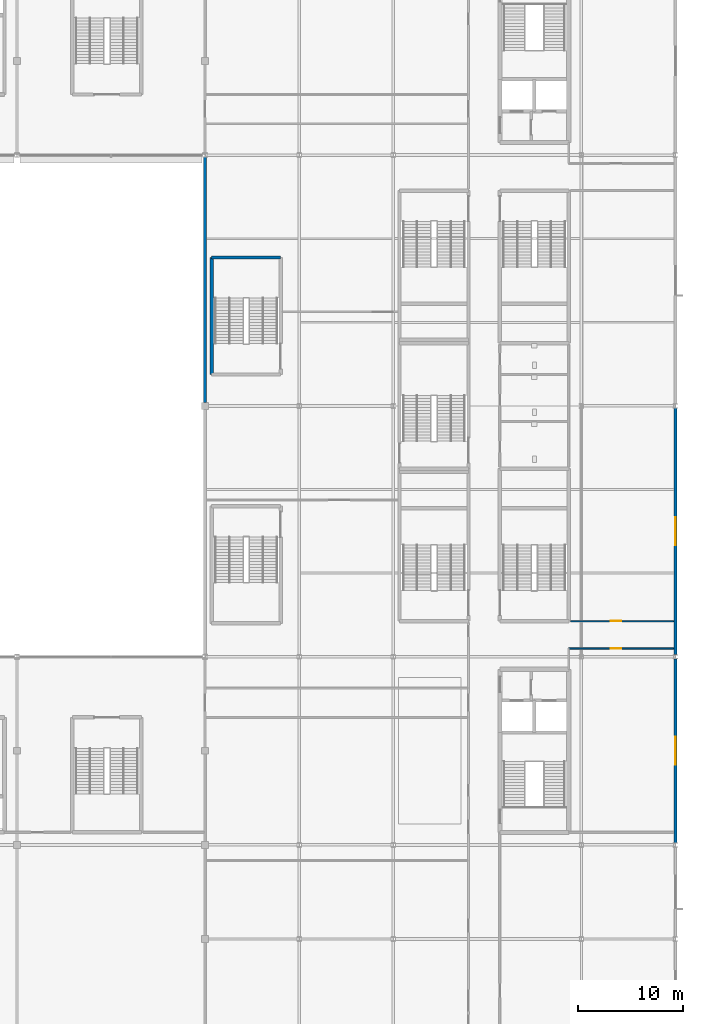
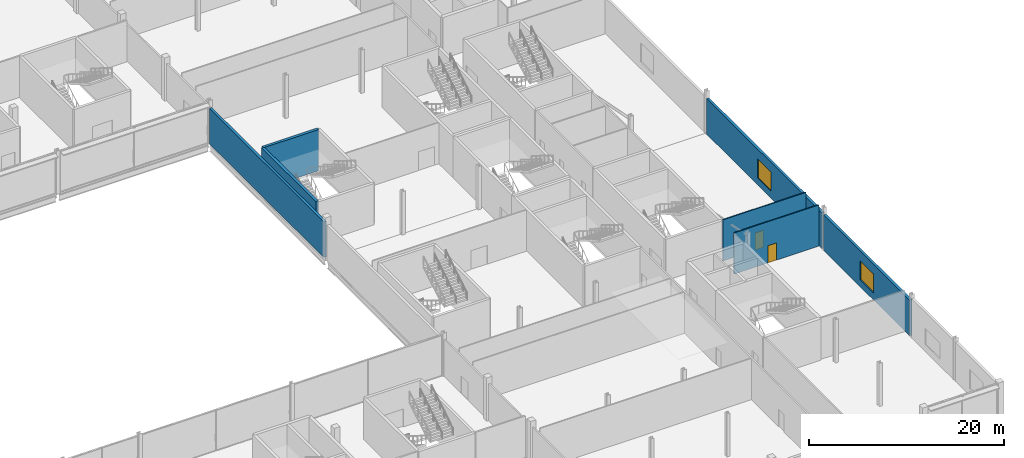
# One storey, part 66 of 111: 7 walls, 2 doors, 2 windows, 4 openings.
"""IFC4 building model written with IfcOpenShell, lengths in metres."""

from ifc_helpers import new_model, si_unit, direction, frame, frame_2d, origin, place, context, subcontext, project, spatial, rectangle, extrude, material, layer, layer_set, type_object, element, fill, save


model = new_model("IFC4")

# Units and contexts
model_context = context("Model", 3, precision=1e-05, world=origin(), true_north=direction((0.0, 1.0)))
body_context = subcontext(model_context, "Body", "Model", "MODEL_VIEW")
ifc_project = project(units=[si_unit("LENGTHUNIT", "METRE"), si_unit("AREAUNIT", "SQUARE_METRE"), si_unit("VOLUMEUNIT", "CUBIC_METRE"), si_unit("PLANEANGLEUNIT", "RADIAN"), si_unit("MASSUNIT", "GRAM", prefix="KILO")], contexts=[model_context])

# Site, building, storey
site_placement = place(None, origin())
site = spatial("IfcSite", under=ifc_project, at=site_placement, CompositionType="ELEMENT")
building_placement = place(site_placement, origin())
building = spatial("IfcBuilding", under=site, at=building_placement, Name="Kisiwana Market Hall", CompositionType="ELEMENT")
storey_placement = place(building_placement, frame((0.0, 0.0, 11.39990234375)))
storey = spatial("IfcBuildingStorey", under=building, at=storey_placement, Name="L02", CompositionType="ELEMENT", Elevation=11.39990234375)

# Walls
ifc_material_1 = material(Name="Concrete C40/50", Category="concrete")
ifc_layer_1 = layer(ifc_material_1, 0.320068359375, Name="Reinforced concrete shaft wall")
ifc_layer_set_1 = layer_set([ifc_layer_1], Name="WL-CORE-320")
wall_type_1 = type_object("IfcWallType", Name="WL-CORE-320", PredefinedType="SHEAR", material=ifc_layer_set_1)
wall_1_placement = place(storey_placement, frame((153.6298828125, 74.199951171875, 0.0), z_axis=(0.0, 0.0, 1.0), x_axis=(1.0, 0.0, 0.0)))
element("IfcWall", 1, at=wall_1_placement, inside=storey, type_object=wall_type_1, Name="Core E10 north shear wall W-1029", PredefinedType="SHEAR", context=body_context, shape_type="SweptSolid", body=[
    extrude(rectangle(XDim=6.60009765625, YDim=0.320068359375, at=frame_2d((3.300048828125, 0.0))), origin(), (0.0, 0.0, 1.0), 5.150146484375),
])
wall_2_placement = place(storey_placement, frame((153.6298828125, 63.0, 0.0), z_axis=(0.0, 0.0, 1.0), x_axis=(0.0, 1.0, 0.0)))
element("IfcWall", 2, at=wall_2_placement, inside=storey, type_object=wall_type_1, Name="Core E10 outer shear wall W-1030", PredefinedType="SHEAR", context=body_context, shape_type="SweptSolid", body=[
    extrude(rectangle(XDim=11.199951171875, YDim=0.320068359375, at=frame_2d((5.60009765625, 0.0))), origin(), (0.0, 0.0, 1.0), 5.150146484375),
])
ifc_material_2 = material(Name="Masonry blockwork", Category="masonry")
ifc_layer_2 = layer(ifc_material_2, 0.139892578125, Name="Rendered masonry outer leaf")
ifc_material_3 = material(Name="Mineral wool insulation")
ifc_layer_3 = layer(ifc_material_3, 0.074951171875, Name="Mineral wool cavity insulation")
ifc_material_4 = material(Name="Gypsum plasterboard")
ifc_layer_4 = layer(ifc_material_4, 0.074951171875, Name="Calcium silicate inner lining")
ifc_layer_set_2 = layer_set([ifc_layer_2, ifc_layer_3, ifc_layer_4], Name="WL-EXT-MAS-290")
wall_type_2 = type_object("IfcWallType", Name="WL-EXT-MAS-290", PredefinedType="STANDARD", material=ifc_layer_set_2)
wall_3_placement = place(storey_placement, frame((153.0, 60.31689453125, 0.0), z_axis=(0.0, 0.0, 1.0), x_axis=(0.0, 1.0, 0.0)))
element("IfcWall", 3, at=wall_3_placement, inside=storey, type_object=wall_type_2, Name="Exterior wall W-1091", PredefinedType="STANDARD", context=body_context, shape_type="SweptSolid", body=[
    extrude(rectangle(XDim=23.484619140625, YDim=0.2900390625, at=frame_2d((11.7421875, 0.0))), origin(), (0.0, 0.0, 1.0), 4.466552734375),
])

# Wall, opening, window
wall_4_placement = place(storey_placement, frame((198.0, 18.194091796875, 0.0), z_axis=(0.0, 0.0, 1.0), x_axis=(0.0, 1.0, 0.0)))
wall_4 = element("IfcWall", 4, at=wall_4_placement, inside=storey, type_object=wall_type_2, Name="Exterior wall W-1094", PredefinedType="STANDARD", context=body_context, shape_type="SweptSolid", body=[
    extrude(rectangle(XDim=17.61181640625, YDim=0.2900390625, at=frame_2d((8.805908203125, 0.0))), origin(), (0.0, 0.0, 1.0), 4.466552734375),
])
opening_1_placement = place(wall_4_placement, frame((7.4560546875, 0.0, 0.85009765625)))
opening_1 = element("IfcOpeningElement", 5, at=opening_1_placement, cuts=wall_4, Name="Opening WN-10", PredefinedType="OPENING", context=body_context, shape_type="SweptSolid", body=[
    extrude(rectangle(XDim=2.699951171875, YDim=2.39990234375, at=frame_2d((1.35009765625, 1.199951171875))), frame((0.0, 0.156982421875, 0.0), z_axis=(0.0, -1.0, 0.0), x_axis=(1.0, 0.0, 0.0)), (0.0, 0.0, 1.0), 0.31396484375),
])
ifc_material_5 = material(Name="Double-glazed solar-control low-E IGU", Category="glass")
window_type = type_object("IfcWindowType", Name="WN-GLD-2700x2400", PartitioningType="SINGLE_PANEL", PredefinedType="WINDOW", material=ifc_material_5)
window_1_placement = place(opening_1_placement, origin())
window_1 = element("IfcWindow", 6, at=window_1_placement, inside=storey, type_object=window_type, Name="Exterior window WN-044", OverallHeight=2.39990234375, OverallWidth=2.699951171875, PartitioningType="SINGLE_PANEL", PredefinedType="WINDOW", context=body_context, shape_type="SweptSolid", body=[
    extrude(rectangle(XDim=2.699951171875, YDim=2.39990234375, at=frame_2d((1.35009765625, 1.199951171875))), frame((0.0, 0.030029296875, 0.0), z_axis=(0.0, -1.0, 0.0), x_axis=(1.0, 0.0, 0.0)), (0.0, 0.0, 1.0), 0.06005859375),
])
fill(opening_1, window_1)

wall_5_placement = place(storey_placement, frame((198.0, 36.194091796875, 0.0), z_axis=(0.0, 0.0, 1.0), x_axis=(0.0, 1.0, 0.0)))
wall_5 = element("IfcWall", 7, at=wall_5_placement, inside=storey, type_object=wall_type_2, Name="Exterior wall W-1095", PredefinedType="STANDARD", context=body_context, shape_type="SweptSolid", body=[
    extrude(rectangle(XDim=23.61181640625, YDim=0.2900390625, at=frame_2d((11.805908203125, 0.0))), origin(), (0.0, 0.0, 1.0), 4.466552734375),
])
opening_2_placement = place(wall_5_placement, frame((10.4560546875, 0.0, 0.85009765625)))
opening_2 = element("IfcOpeningElement", 8, at=opening_2_placement, cuts=wall_5, Name="Opening WN-10", PredefinedType="OPENING", context=body_context, shape_type="SweptSolid", body=[
    extrude(rectangle(XDim=2.699951171875, YDim=2.39990234375, at=frame_2d((1.35009765625, 1.199951171875))), frame((0.0, 0.156982421875, 0.0), z_axis=(0.0, -1.0, 0.0), x_axis=(1.0, 0.0, 0.0)), (0.0, 0.0, 1.0), 0.31396484375),
])
window_2_placement = place(opening_2_placement, origin())
window_2 = element("IfcWindow", 9, at=window_2_placement, inside=storey, type_object=window_type, Name="Exterior window WN-045", OverallHeight=2.39990234375, OverallWidth=2.699951171875, PartitioningType="SINGLE_PANEL", PredefinedType="WINDOW", context=body_context, shape_type="SweptSolid", body=[
    extrude(rectangle(XDim=2.699951171875, YDim=2.39990234375, at=frame_2d((1.35009765625, 1.199951171875))), frame((0.0, 0.030029296875, 0.0), z_axis=(0.0, -1.0, 0.0), x_axis=(1.0, 0.0, 0.0)), (0.0, 0.0, 1.0), 0.06005859375),
])
fill(opening_2, window_2)

# Wall, opening, door
ifc_material_6 = material(Name="Gypsum plasterboard")
ifc_layer_5 = layer(ifc_material_6, 0.125, Name="Double gypsum board + acoustic stud")
ifc_layer_set_3 = layer_set([ifc_layer_5], Name="WL-OFF-125")
wall_type_3 = type_object("IfcWallType", Name="WL-OFF-125", PredefinedType="PARTITIONING", material=ifc_layer_set_3)
wall_6_placement = place(storey_placement, frame((187.800048828125, 36.800048828125, 0.0), z_axis=(0.0, 0.0, 1.0), x_axis=(1.0, 0.0, 0.0)))
wall_6 = element("IfcWall", 10, at=wall_6_placement, inside=storey, type_object=wall_type_3, Name="Interior partition W-1142", PredefinedType="PARTITIONING", context=body_context, shape_type="SweptSolid", body=[
    extrude(rectangle(XDim=10.017333984375, YDim=0.125, at=frame_2d((5.0087890625, 0.0))), origin(), (0.0, 0.0, 1.0), 5.150146484375),
])
opening_3_placement = place(wall_6_placement, frame((4.0, 0.0, 0.0)))
opening_3 = element("IfcOpeningElement", 11, at=opening_3_placement, cuts=wall_6, Name="Opening DR-L02-068", PredefinedType="OPENING", context=body_context, shape_type="SweptSolid", body=[
    extrude(rectangle(XDim=1.0, YDim=2.14990234375, at=frame_2d((0.5, 1.074951171875))), frame((0.0, 0.074462890625, 0.0), z_axis=(0.0, -1.0, 0.0), x_axis=(1.0, 0.0, 0.0)), (0.0, 0.0, 1.0), 0.14892578125),
])
ifc_material_7 = material(Name="Aluminium alloy 6063-T6", Category="aluminium")
door_type = type_object("IfcDoorType", Name="DR-OFF-1000", OperationType="NOTDEFINED", PredefinedType="DOOR", material=ifc_material_7)
door_1_placement = place(opening_3_placement, frame((1.0, 0.0, 0.0), z_axis=(0.0, 0.0, 1.0), x_axis=(-1.0, 0.0, 0.0)))
door_1 = element("IfcDoor", 12, at=door_1_placement, inside=storey, type_object=door_type, Name="L02 E Trade Guild Studio South Door", OperationType="SINGLE_SWING_RIGHT", OverallHeight=2.14990234375, OverallWidth=1.0, PredefinedType="DOOR", context=body_context, shape_type="SweptSolid", body=[
    extrude(rectangle(XDim=1.0, YDim=2.14990234375, at=frame_2d((0.5, 1.074951171875))), frame((0.0, 0.02490234375, 0.0), z_axis=(0.0, -1.0, 0.0), x_axis=(1.0, 0.0, 0.0)), (0.0, 0.0, 1.0), 0.050048828125),
])
fill(opening_3, door_1)

wall_7_placement = place(storey_placement, frame((187.9599609375, 39.39990234375, 0.0), z_axis=(0.0, 0.0, 1.0), x_axis=(1.0, 0.0, 0.0)))
wall_7 = element("IfcWall", 13, at=wall_7_placement, inside=storey, type_object=wall_type_3, Name="Interior partition W-1143", PredefinedType="PARTITIONING", context=body_context, shape_type="SweptSolid", body=[
    extrude(rectangle(XDim=9.857421875, YDim=0.125, at=frame_2d((4.9287109375, 0.0))), origin(), (0.0, 0.0, 1.0), 5.150146484375),
])
opening_4_placement = place(wall_7_placement, frame((3.840087890625, 0.0, 0.0)))
opening_4 = element("IfcOpeningElement", 14, at=opening_4_placement, cuts=wall_7, Name="Opening DR-L02-069", PredefinedType="OPENING", context=body_context, shape_type="SweptSolid", body=[
    extrude(rectangle(XDim=1.0, YDim=2.14990234375, at=frame_2d((0.5, 1.074951171875))), frame((0.0, 0.074462890625, 0.0), z_axis=(0.0, -1.0, 0.0), x_axis=(1.0, 0.0, 0.0)), (0.0, 0.0, 1.0), 0.14892578125),
])
door_2_placement = place(opening_4_placement, origin())
door_2 = element("IfcDoor", 15, at=door_2_placement, inside=storey, type_object=door_type, Name="L02 E Trade Guild Studio Central Door", OperationType="SINGLE_SWING_LEFT", OverallHeight=2.14990234375, OverallWidth=1.0, PredefinedType="DOOR", context=body_context, shape_type="SweptSolid", body=[
    extrude(rectangle(XDim=1.0, YDim=2.14990234375, at=frame_2d((0.5, 1.074951171875))), frame((0.0, 0.02490234375, 0.0), z_axis=(0.0, -1.0, 0.0), x_axis=(1.0, 0.0, 0.0)), (0.0, 0.0, 1.0), 0.050048828125),
])
fill(opening_4, door_2)

save(model, "model.ifc")
